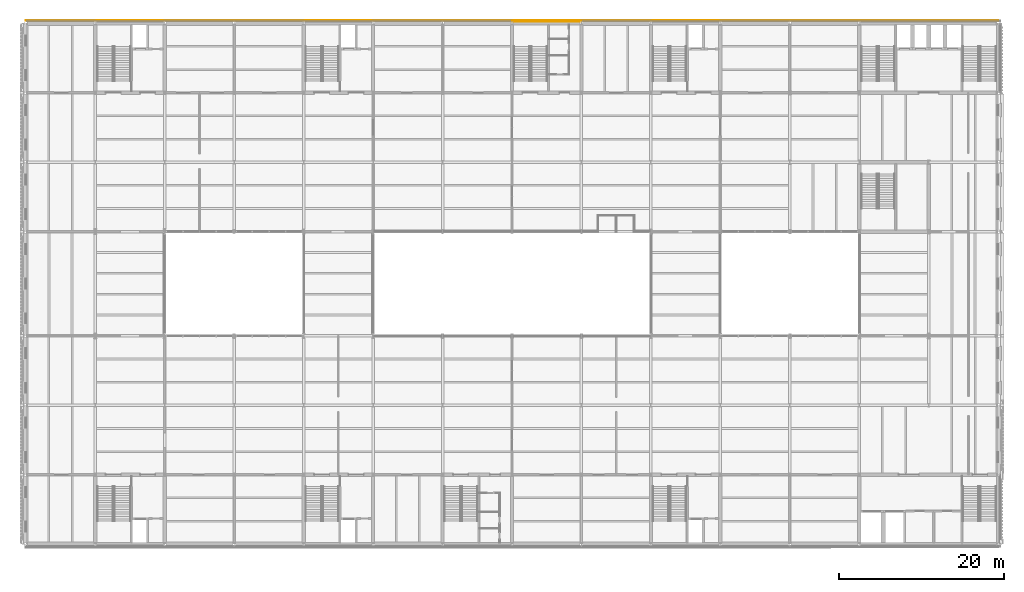
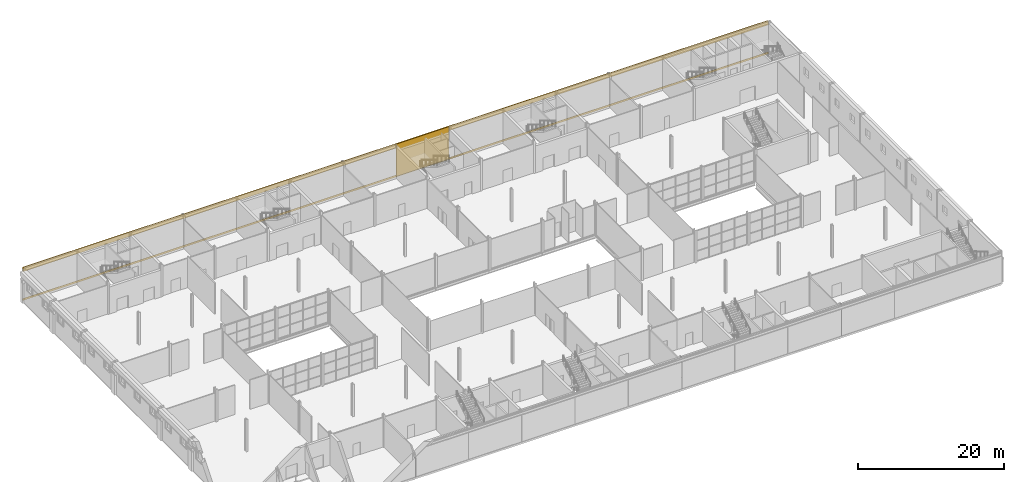
# One storey, part 45 of 57: 3 coverings.
"""IFC4 building model written with IfcOpenShell, lengths in metres."""

from ifc_helpers import new_model, si_unit, direction, frame, origin, origin_2d, place, context, subcontext, project, spatial, polyline, rectangle, outline, extrude, material, layer, layer_set, type_object, element, save


model = new_model("IFC4")

# Units and contexts
model_context = context("Model", 3, precision=1e-05, world=origin(), true_north=direction((0.0, 1.0)))
body_context = subcontext(model_context, "Body", "Model", "MODEL_VIEW")
ifc_project = project(units=[si_unit("LENGTHUNIT", "METRE"), si_unit("AREAUNIT", "SQUARE_METRE"), si_unit("VOLUMEUNIT", "CUBIC_METRE"), si_unit("PLANEANGLEUNIT", "RADIAN"), si_unit("MASSUNIT", "GRAM", prefix="KILO")], contexts=[model_context])

# Site, building, storey
site_placement = place(None, origin())
site = spatial("IfcSite", under=ifc_project, at=site_placement, CompositionType="ELEMENT")
building_placement = place(site_placement, origin())
building = spatial("IfcBuilding", under=site, at=building_placement, Name="Galleria Vessillo Department Store", CompositionType="ELEMENT")
storey_placement = place(building_placement, frame((0.0, 0.0, 25.800048828125)))
storey = spatial("IfcBuildingStorey", under=building, at=storey_placement, Name="L05", CompositionType="ELEMENT", Elevation=25.800048828125)

# Coverings
ifc_material_1 = material(Name="Lime plaster (intonaco) ochre")
ifc_layer_1 = layer(ifc_material_1, 0.030029296875)
ifc_layer_set_1 = layer_set([ifc_layer_1], Name="Lime plaster (intonaco) ochre")
covering_type_1 = type_object("IfcCoveringType", Name="Lime plaster render 30 mm", PredefinedType="CLADDING", material=ifc_layer_set_1)
covering_1_placement = place(storey_placement, frame((63.0, 63.215087890625, 0.0), z_axis=(0.0, 0.0, 1.0), x_axis=(1.0, 0.0, 0.0)))
element("IfcCovering", 1, at=covering_1_placement, inside=storey, type_object=covering_type_1, Name="Wall cladding S-CW-PC-NC-PARTY-L05", PredefinedType="CLADDING", context=body_context, shape_type="SweptSolid", body=[
    extrude(rectangle(XDim=8.33984375, YDim=0.030029296875, at=origin_2d()), origin(), (0.0, 0.0, 1.0), 5.39990234375),
])
ifc_material_2 = material(Name="Botticino limestone ashlar", Category="masonry")
ifc_layer_2 = layer(ifc_material_2, 0.1201171875)
ifc_layer_set_2 = layer_set([ifc_layer_2], Name="Botticino limestone ashlar")
covering_type_2 = type_object("IfcCoveringType", Name="Limestone flank cornice 750 x 120", PredefinedType="MOLDING", material=ifc_layer_set_2)
covering_2_placement = place(storey_placement, frame((0.0, 63.0, 4.64990234375), z_axis=(1.0, 0.0, 0.0), x_axis=(0.0, 1.0, 0.0)))
element("IfcCovering", 2, at=covering_2_placement, inside=storey, type_object=covering_type_2, Name="Flank cornice N", PredefinedType="MOLDING", context=body_context, shape_type="SweptSolid", body=[
    extrude(outline(polyline([(0.280029296875, 0.0), (0.340087890625, 0.0), (0.340087890625, 0.10009765625), (0.39990234375, 0.159912109375), (0.39990234375, 0.340087890625), (0.39990234375, 0.5), (0.3701171875, 0.580078125), (0.3701171875, 0.75), (0.280029296875, 0.75), (0.280029296875, 0.0)])), origin(), (0.0, 0.0, 1.0), 117.60009765625),
])
ifc_material_3 = material(Name="Botticino limestone ashlar", Category="masonry")
ifc_layer_3 = layer(ifc_material_3, 0.080078125)
ifc_layer_set_3 = layer_set([ifc_layer_3], Name="Botticino limestone ashlar")
covering_type_3 = type_object("IfcCoveringType", Name="Limestone flank string course 300 x 80", PredefinedType="MOLDING", material=ifc_layer_set_3)
covering_3_placement = place(storey_placement, frame((0.0, 63.0, -0.150146484375), z_axis=(1.0, 0.0, 0.0), x_axis=(0.0, 1.0, 0.0)))
element("IfcCovering", 3, at=covering_3_placement, inside=storey, type_object=covering_type_3, Name="Flank string course N L05", PredefinedType="MOLDING", context=body_context, shape_type="SweptSolid", body=[
    extrude(outline(polyline([(0.280029296875, 0.0), (0.360107421875, 0.0), (0.360107421875, 0.300048828125), (0.280029296875, 0.300048828125), (0.280029296875, 0.0)])), origin(), (0.0, 0.0, 1.0), 117.60009765625),
])

save(model, "model.ifc")
